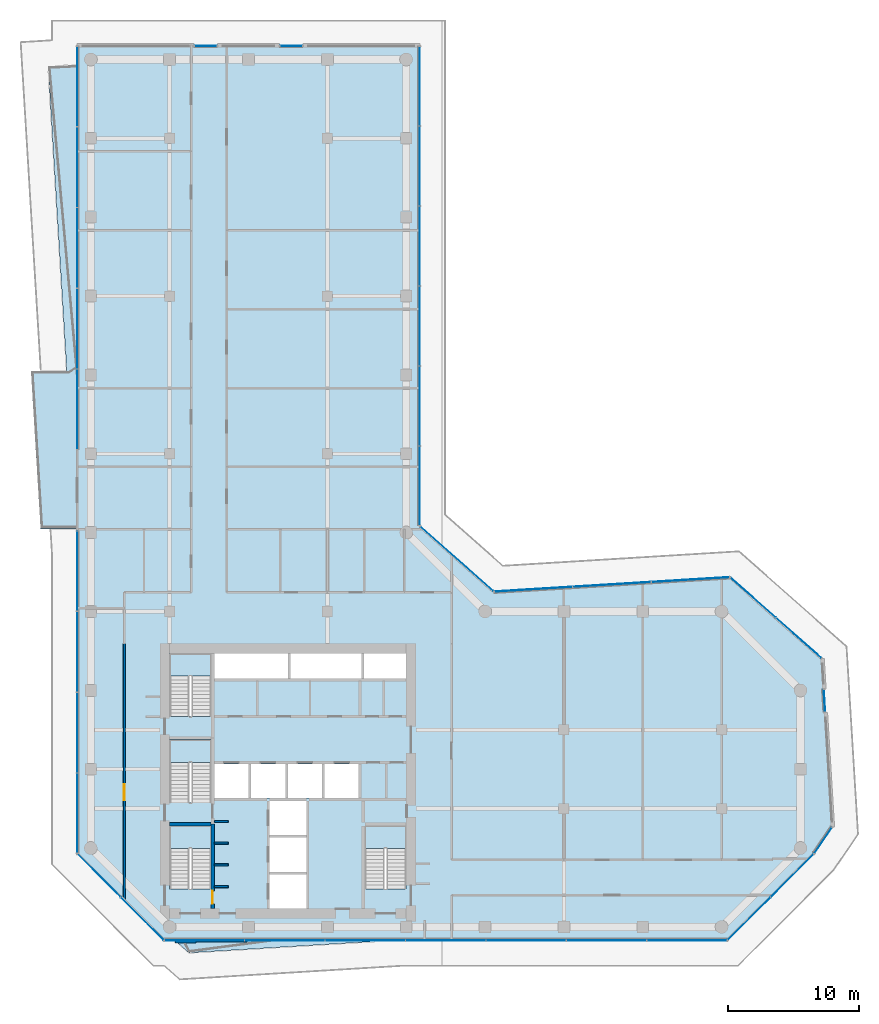
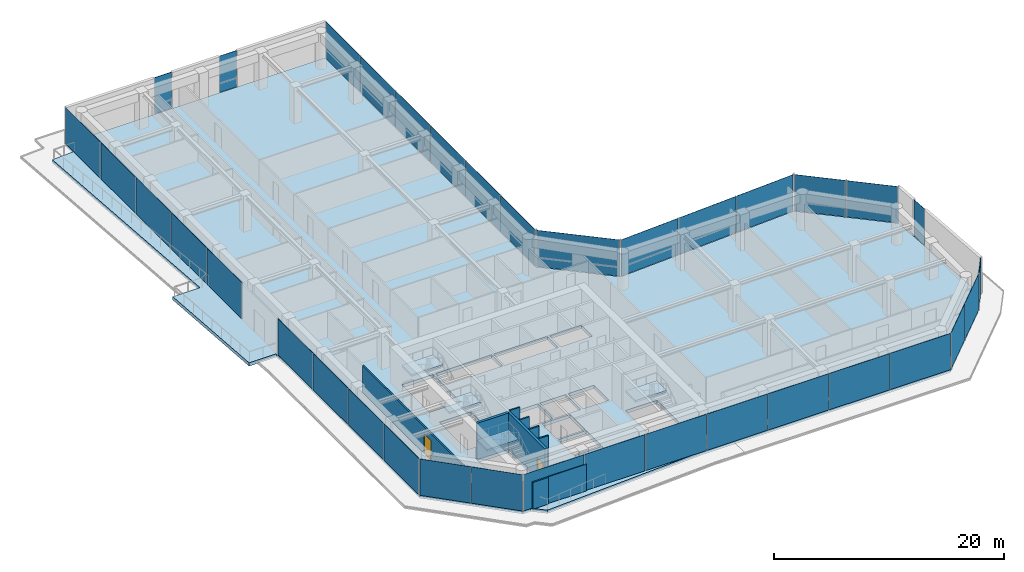
# One storey, part 17 of 23: 36 plates, 9 walls, 5 slabs, 2 doors, 2 openings, 17 elements without a shape of their own.
"""IFC4 building model written with IfcOpenShell, lengths in metres."""

from ifc_helpers import new_model, si_unit, direction, frame, frame_2d, origin, origin_2d, place, context, subcontext, project, spatial, polyline, rectangle, outline, extrude, material, layer, layer_set, type_object, element, fill, aggregate, save


model = new_model("IFC4")

# Units and contexts
model_context = context("Model", 3, precision=1e-05, world=origin(), true_north=direction((0.0, 1.0)))
body_context = subcontext(model_context, "Body", "Model", "MODEL_VIEW")
ifc_project = project(units=[si_unit("LENGTHUNIT", "METRE"), si_unit("AREAUNIT", "SQUARE_METRE"), si_unit("VOLUMEUNIT", "CUBIC_METRE"), si_unit("PLANEANGLEUNIT", "RADIAN"), si_unit("MASSUNIT", "GRAM", prefix="KILO")], contexts=[model_context])

# Site, building, storey
site_placement = place(None, origin())
site = spatial("IfcSite", under=ifc_project, at=site_placement, CompositionType="ELEMENT")
building_placement = place(site_placement, origin())
building = spatial("IfcBuilding", under=site, at=building_placement, Name="Welwitschia Terrace Campus", CompositionType="ELEMENT")
storey_placement = place(building_placement, frame((0.0, 0.0, 96.199951171875)))
storey = spatial("IfcBuildingStorey", under=building, at=storey_placement, Name="L21", CompositionType="ELEMENT", Elevation=96.199951171875)

# Curtain wall, plates
ifc_material_1 = material(Name="Bronze anodised aluminium", Category="aluminium")
ifc_layer_1 = layer(ifc_material_1, 0.1201171875)
ifc_layer_set_1 = layer_set([ifc_layer_1], Name="Bronze anodised aluminium")
curtain_wall_type = type_object("IfcCurtainWallType", Name="Curtain wall CW2 tower 6000", PredefinedType="NOTDEFINED", material=ifc_layer_set_1)
curtain_wall_1_placement = place(storey_placement, origin())
curtain_wall_1 = element("IfcCurtainWall", 1, at=curtain_wall_1_placement, inside=storey, type_object=curtain_wall_type, Name="CW L21.0.0", PredefinedType="NOTDEFINED")
ifc_material_2 = material(Name="Tinted bronze-grey glass", Category="glass")
ifc_layer_2 = layer(ifc_material_2, 0.028076171875)
ifc_layer_set_2 = layer_set([ifc_layer_2], Name="Tinted bronze-grey glass")
plate_type = type_object("IfcPlateType", Name="Glass panel 28 tinted", PredefinedType="CURTAIN_PANEL", material=ifc_layer_set_2)
plate_1_placement = place(storey_placement, frame((0.63134765625, 7.911865234375, 0.0), z_axis=(0.0, 0.0, 1.0), x_axis=(0.707106781187, -0.707106781187, 0.0)))
plate_1 = element("IfcPlate", 2, at=plate_1_placement, type_object=plate_type, Name="Panel L21.0.0.0", PredefinedType="CURTAIN_PANEL", context=body_context, shape_type="SweptSolid", body=[
    extrude(rectangle(XDim=4.579345703125, YDim=0.028076171875, at=origin_2d()), origin(), (0.0, 0.0, 1.0), 3.85009765625),
])
plate_2_placement = place(storey_placement, frame((3.911865234375, 4.63134765625, 0.0), z_axis=(0.0, 0.0, 1.0), x_axis=(0.707106781187, -0.707106781187, 0.0)))
plate_2 = element("IfcPlate", 3, at=plate_2_placement, type_object=plate_type, Name="Panel L21.0.0.1", PredefinedType="CURTAIN_PANEL", context=body_context, shape_type="SweptSolid", body=[
    extrude(rectangle(XDim=4.579345703125, YDim=0.028076171875, at=origin_2d()), origin(), (0.0, 0.0, 1.0), 3.85009765625),
])
aggregate(curtain_wall_1, [plate_1, plate_2])

curtain_wall_2_placement = place(storey_placement, origin())
curtain_wall_2 = element("IfcCurtainWall", 4, at=curtain_wall_2_placement, inside=storey, type_object=curtain_wall_type, Name="CW L21.1.0", PredefinedType="NOTDEFINED")
plate_3_placement = place(storey_placement, frame((8.6494140625, 2.969970703125, 0.0), z_axis=(0.0, 0.0, 1.0), x_axis=(1.0, 0.0, 0.0)))
plate_3 = element("IfcPlate", 5, at=plate_3_placement, type_object=plate_type, Name="Panel L21.1.0.0", PredefinedType="CURTAIN_PANEL", context=body_context, shape_type="SweptSolid", body=[
    extrude(rectangle(XDim=6.031982421875, YDim=0.028076171875, at=origin_2d()), origin(), (0.0, 0.0, 1.0), 3.85009765625),
])
plate_4_placement = place(storey_placement, frame((14.756103515625, 2.969970703125, 0.0), z_axis=(0.0, 0.0, 1.0), x_axis=(1.0, 0.0, 0.0)))
plate_4 = element("IfcPlate", 6, at=plate_4_placement, type_object=plate_type, Name="Panel L21.1.0.1", PredefinedType="CURTAIN_PANEL", context=body_context, shape_type="SweptSolid", body=[
    extrude(rectangle(XDim=6.06201171875, YDim=0.028076171875, at=origin_2d()), origin(), (0.0, 0.0, 1.0), 3.85009765625),
])
plate_5_placement = place(storey_placement, frame((20.878173828125, 2.969970703125, 0.0), z_axis=(0.0, 0.0, 1.0), x_axis=(1.0, 0.0, 0.0)))
plate_5 = element("IfcPlate", 7, at=plate_5_placement, type_object=plate_type, Name="Panel L21.1.0.2", PredefinedType="CURTAIN_PANEL", context=body_context, shape_type="SweptSolid", body=[
    extrude(rectangle(XDim=6.06201171875, YDim=0.028076171875, at=origin_2d()), origin(), (0.0, 0.0, 1.0), 3.85009765625),
])
plate_6_placement = place(storey_placement, frame((27.0, 2.969970703125, 0.0), z_axis=(0.0, 0.0, 1.0), x_axis=(1.0, 0.0, 0.0)))
plate_6 = element("IfcPlate", 8, at=plate_6_placement, type_object=plate_type, Name="Panel L21.1.0.3", PredefinedType="CURTAIN_PANEL", context=body_context, shape_type="SweptSolid", body=[
    extrude(rectangle(XDim=6.06201171875, YDim=0.028076171875, at=origin_2d()), origin(), (0.0, 0.0, 1.0), 3.85009765625),
])
plate_7_placement = place(storey_placement, frame((33.121826171875, 2.969970703125, 0.0), z_axis=(0.0, 0.0, 1.0), x_axis=(1.0, 0.0, 0.0)))
plate_7 = element("IfcPlate", 9, at=plate_7_placement, type_object=plate_type, Name="Panel L21.1.0.4", PredefinedType="CURTAIN_PANEL", context=body_context, shape_type="SweptSolid", body=[
    extrude(rectangle(XDim=6.06201171875, YDim=0.028076171875, at=origin_2d()), origin(), (0.0, 0.0, 1.0), 3.85009765625),
])
plate_8_placement = place(storey_placement, frame((39.243896484375, 2.969970703125, 0.0), z_axis=(0.0, 0.0, 1.0), x_axis=(1.0, 0.0, 0.0)))
plate_8 = element("IfcPlate", 10, at=plate_8_placement, type_object=plate_type, Name="Panel L21.1.0.5", PredefinedType="CURTAIN_PANEL", context=body_context, shape_type="SweptSolid", body=[
    extrude(rectangle(XDim=6.06201171875, YDim=0.028076171875, at=origin_2d()), origin(), (0.0, 0.0, 1.0), 3.85009765625),
])
plate_9_placement = place(storey_placement, frame((45.3505859375, 2.969970703125, 0.0), z_axis=(0.0, 0.0, 1.0), x_axis=(1.0, 0.0, 0.0)))
plate_9 = element("IfcPlate", 11, at=plate_9_placement, type_object=plate_type, Name="Panel L21.1.0.6", PredefinedType="CURTAIN_PANEL", context=body_context, shape_type="SweptSolid", body=[
    extrude(rectangle(XDim=6.031982421875, YDim=0.028076171875, at=origin_2d()), origin(), (0.0, 0.0, 1.0), 3.85009765625),
])
aggregate(curtain_wall_2, [plate_3, plate_4, plate_5, plate_6, plate_7, plate_8, plate_9])

curtain_wall_3_placement = place(storey_placement, origin())
curtain_wall_3 = element("IfcCurtainWall", 12, at=curtain_wall_3_placement, inside=storey, type_object=curtain_wall_type, Name="CW L21.2.0", PredefinedType="NOTDEFINED")
plate_10_placement = place(storey_placement, frame((50.08642578125, 4.629638671875, 0.0), z_axis=(0.0, 0.0, 1.0), x_axis=(0.707106781187, 0.707106781187, 0.0)))
plate_10 = element("IfcPlate", 13, at=plate_10_placement, type_object=plate_type, Name="Panel L21.2.0.0", PredefinedType="CURTAIN_PANEL", context=body_context, shape_type="SweptSolid", body=[
    extrude(rectangle(XDim=4.574462890625, YDim=0.028076171875, at=origin_2d()), origin(), (0.0, 0.0, 1.0), 3.85009765625),
])
plate_11_placement = place(storey_placement, frame((53.363525390625, 7.90673828125, 0.0), z_axis=(0.0, 0.0, 1.0), x_axis=(0.707106781187, 0.707106781187, 0.0)))
plate_11 = element("IfcPlate", 14, at=plate_11_placement, type_object=plate_type, Name="Panel L21.2.0.1", PredefinedType="CURTAIN_PANEL", context=body_context, shape_type="SweptSolid", body=[
    extrude(rectangle(XDim=4.574462890625, YDim=0.028076171875, at=origin_2d()), origin(), (0.0, 0.0, 1.0), 3.85009765625),
])
aggregate(curtain_wall_3, [plate_10, plate_11])

# Curtain wall, plate
curtain_wall_4_placement = place(storey_placement, origin())
curtain_wall_4 = element("IfcCurtainWall", 15, at=curtain_wall_4_placement, inside=storey, type_object=curtain_wall_type, Name="CW L21.3.0", PredefinedType="NOTDEFINED")
plate_12_placement = place(storey_placement, frame((55.717041015625, 10.58056640625, 0.0), z_axis=(0.0, 0.0, 1.0), x_axis=(0.56467111921, 0.825316016523, 0.0)))
plate_12 = element("IfcPlate", 16, at=plate_12_placement, type_object=plate_type, Name="Panel L21.3.0.0", PredefinedType="CURTAIN_PANEL", context=body_context, shape_type="SweptSolid", body=[
    extrude(rectangle(XDim=2.337158203125, YDim=0.028076171875, at=origin_2d()), origin(), (0.0, 0.0, 1.0), 3.85009765625),
])
aggregate(curtain_wall_4, [plate_12])

curtain_wall_5_placement = place(storey_placement, origin())
curtain_wall_5 = element("IfcCurtainWall", 17, at=curtain_wall_5_placement, inside=storey, type_object=curtain_wall_type, Name="CW L21.4.S0", PredefinedType="NOTDEFINED")
plate_13_placement = place(storey_placement, frame((55.822265625, 21.21484375, 0.0), z_axis=(0.0, 0.0, 1.0), x_axis=(-0.061048539535, 0.998134798422, 0.0)))
plate_13 = element("IfcPlate", 18, at=plate_13_placement, type_object=plate_type, Name="Panel L21.4.S0.0", PredefinedType="CURTAIN_PANEL", context=body_context, shape_type="SweptSolid", body=[
    extrude(rectangle(XDim=1.679931640625, YDim=0.028076171875, at=origin_2d()), origin(), (0.0, 0.0, 1.0), 3.85009765625),
])
aggregate(curtain_wall_5, [plate_13])

# Curtain wall, plates
curtain_wall_6_placement = place(storey_placement, origin())
curtain_wall_6 = element("IfcCurtainWall", 19, at=curtain_wall_6_placement, inside=storey, type_object=curtain_wall_type, Name="CW L21.5.0", PredefinedType="NOTDEFINED")
plate_14_placement = place(storey_placement, frame((53.866455078125, 25.978515625, 0.0), z_axis=(0.0, 0.0, 1.0), x_axis=(-0.748955720789, 0.662620048216, 0.0)))
plate_14 = element("IfcPlate", 20, at=plate_14_placement, type_object=plate_type, Name="Panel L21.5.0.0", PredefinedType="CURTAIN_PANEL", context=body_context, shape_type="SweptSolid", body=[
    extrude(rectangle(XDim=4.579345703125, YDim=0.028076171875, at=origin_2d()), origin(), (0.0, 0.0, 1.0), 3.85009765625),
])
plate_15_placement = place(storey_placement, frame((50.391845703125, 29.052734375, 0.0), z_axis=(0.0, 0.0, 1.0), x_axis=(-0.748955720789, 0.662620048216, 0.0)))
plate_15 = element("IfcPlate", 21, at=plate_15_placement, type_object=plate_type, Name="Panel L21.5.0.1", PredefinedType="CURTAIN_PANEL", context=body_context, shape_type="SweptSolid", body=[
    extrude(rectangle(XDim=4.579345703125, YDim=0.028076171875, at=origin_2d()), origin(), (0.0, 0.0, 1.0), 3.85009765625),
])
aggregate(curtain_wall_6, [plate_14, plate_15])

curtain_wall_7_placement = place(storey_placement, origin())
curtain_wall_7 = element("IfcCurtainWall", 22, at=curtain_wall_7_placement, inside=storey, type_object=curtain_wall_type, Name="CW L21.6.0", PredefinedType="NOTDEFINED")
plate_16_placement = place(storey_placement, frame((45.62255859375, 30.425537109375, 0.0), z_axis=(0.0, 0.0, 1.0), x_axis=(-0.998134798422, -0.061048539535, 0.0)))
plate_16 = element("IfcPlate", 23, at=plate_16_placement, type_object=plate_type, Name="Panel L21.6.0.0", PredefinedType="CURTAIN_PANEL", context=body_context, shape_type="SweptSolid", body=[
    extrude(rectangle(XDim=5.909912109375, YDim=0.028076171875, at=origin_2d()), origin(), (0.0, 0.0, 1.0), 3.85009765625),
])
plate_17_placement = place(storey_placement, frame((39.648681640625, 30.06005859375, 0.0), z_axis=(0.0, 0.0, 1.0), x_axis=(-0.998134798422, -0.061048539535, 0.0)))
plate_17 = element("IfcPlate", 24, at=plate_17_placement, type_object=plate_type, Name="Panel L21.6.0.1", PredefinedType="CURTAIN_PANEL", context=body_context, shape_type="SweptSolid", body=[
    extrude(rectangle(XDim=5.93994140625, YDim=0.028076171875, at=origin_2d()), origin(), (0.0, 0.0, 1.0), 3.85009765625),
])
plate_18_placement = place(storey_placement, frame((33.675048828125, 29.69482421875, 0.0), z_axis=(0.0, 0.0, 1.0), x_axis=(-0.998134798422, -0.061048539535, 0.0)))
plate_18 = element("IfcPlate", 25, at=plate_18_placement, type_object=plate_type, Name="Panel L21.6.0.2", PredefinedType="CURTAIN_PANEL", context=body_context, shape_type="SweptSolid", body=[
    extrude(rectangle(XDim=5.909912109375, YDim=0.028076171875, at=origin_2d()), origin(), (0.0, 0.0, 1.0), 3.85009765625),
])
aggregate(curtain_wall_7, [plate_16, plate_17, plate_18])

# Curtain wall, plate
curtain_wall_8_placement = place(storey_placement, origin())
curtain_wall_8 = element("IfcCurtainWall", 26, at=curtain_wall_8_placement, inside=storey, type_object=curtain_wall_type, Name="CW L21.7.0", PredefinedType="NOTDEFINED")
plate_19_placement = place(storey_placement, frame((27.84765625, 32.003662109375, 0.0), z_axis=(0.0, 0.0, 1.0), x_axis=(-0.748955720789, 0.662620048216, 0.0)))
plate_19 = element("IfcPlate", 27, at=plate_19_placement, type_object=plate_type, Name="Panel L21.7.0.0", PredefinedType="CURTAIN_PANEL", context=body_context, shape_type="SweptSolid", body=[
    extrude(rectangle(XDim=7.404541015625, YDim=0.028076171875, at=origin_2d()), origin(), (0.0, 0.0, 1.0), 3.85009765625),
])
aggregate(curtain_wall_8, [plate_19])

# Curtain wall, plates
curtain_wall_9_placement = place(storey_placement, origin())
curtain_wall_9 = element("IfcCurtainWall", 28, at=curtain_wall_9_placement, inside=storey, type_object=curtain_wall_type, Name="CW L21.8.0", PredefinedType="NOTDEFINED")
plate_20_placement = place(storey_placement, frame((25.030029296875, 37.55615234375, 0.0), z_axis=(0.0, 0.0, 1.0), x_axis=(0.0, 1.0, 0.0)))
plate_20 = element("IfcPlate", 29, at=plate_20_placement, type_object=plate_type, Name="Panel L21.8.0.0", PredefinedType="CURTAIN_PANEL", context=body_context, shape_type="SweptSolid", body=[
    extrude(rectangle(XDim=5.998779296875, YDim=0.028076171875, at=origin_2d()), origin(), (0.0, 0.0, 1.0), 3.85009765625),
])
plate_21_placement = place(storey_placement, frame((25.030029296875, 43.6298828125, 0.0), z_axis=(0.0, 0.0, 1.0), x_axis=(0.0, 1.0, 0.0)))
plate_21 = element("IfcPlate", 30, at=plate_21_placement, type_object=plate_type, Name="Panel L21.8.0.1", PredefinedType="CURTAIN_PANEL", context=body_context, shape_type="SweptSolid", body=[
    extrude(rectangle(XDim=6.02880859375, YDim=0.028076171875, at=origin_2d()), origin(), (0.0, 0.0, 1.0), 3.85009765625),
])
plate_22_placement = place(storey_placement, frame((25.030029296875, 49.718994140625, 0.0), z_axis=(0.0, 0.0, 1.0), x_axis=(0.0, 1.0, 0.0)))
plate_22 = element("IfcPlate", 31, at=plate_22_placement, type_object=plate_type, Name="Panel L21.8.0.2", PredefinedType="CURTAIN_PANEL", context=body_context, shape_type="SweptSolid", body=[
    extrude(rectangle(XDim=6.02880859375, YDim=0.028076171875, at=origin_2d()), origin(), (0.0, 0.0, 1.0), 3.85009765625),
])
plate_23_placement = place(storey_placement, frame((25.030029296875, 55.807861328125, 0.0), z_axis=(0.0, 0.0, 1.0), x_axis=(0.0, 1.0, 0.0)))
plate_23 = element("IfcPlate", 32, at=plate_23_placement, type_object=plate_type, Name="Panel L21.8.0.3", PredefinedType="CURTAIN_PANEL", context=body_context, shape_type="SweptSolid", body=[
    extrude(rectangle(XDim=6.02880859375, YDim=0.028076171875, at=origin_2d()), origin(), (0.0, 0.0, 1.0), 3.85009765625),
])
plate_24_placement = place(storey_placement, frame((25.030029296875, 61.896728515625, 0.0), z_axis=(0.0, 0.0, 1.0), x_axis=(0.0, 1.0, 0.0)))
plate_24 = element("IfcPlate", 33, at=plate_24_placement, type_object=plate_type, Name="Panel L21.8.0.4", PredefinedType="CURTAIN_PANEL", context=body_context, shape_type="SweptSolid", body=[
    extrude(rectangle(XDim=6.02880859375, YDim=0.028076171875, at=origin_2d()), origin(), (0.0, 0.0, 1.0), 3.85009765625),
])
plate_25_placement = place(storey_placement, frame((25.030029296875, 67.970458984375, 0.0), z_axis=(0.0, 0.0, 1.0), x_axis=(0.0, 1.0, 0.0)))
plate_25 = element("IfcPlate", 34, at=plate_25_placement, type_object=plate_type, Name="Panel L21.8.0.5", PredefinedType="CURTAIN_PANEL", context=body_context, shape_type="SweptSolid", body=[
    extrude(rectangle(XDim=5.998779296875, YDim=0.028076171875, at=origin_2d()), origin(), (0.0, 0.0, 1.0), 3.85009765625),
])
aggregate(curtain_wall_9, [plate_20, plate_21, plate_22, plate_23, plate_24, plate_25])

# Curtain wall, plate
curtain_wall_10_placement = place(storey_placement, origin())
curtain_wall_10 = element("IfcCurtainWall", 35, at=curtain_wall_10_placement, inside=storey, type_object=curtain_wall_type, Name="CW L21.9.S0", PredefinedType="NOTDEFINED")
plate_26_placement = place(storey_placement, frame((15.257568359375, 71.030029296875, 0.0), z_axis=(0.0, 0.0, 1.0), x_axis=(-1.0, 0.0, 0.0)))
plate_26 = element("IfcPlate", 36, at=plate_26_placement, type_object=plate_type, Name="Panel L21.9.S0.0", PredefinedType="CURTAIN_PANEL", context=body_context, shape_type="SweptSolid", body=[
    extrude(rectangle(XDim=1.679931640625, YDim=0.028076171875, at=origin_2d()), origin(), (0.0, 0.0, 1.0), 3.85009765625),
])
aggregate(curtain_wall_10, [plate_26])

curtain_wall_11_placement = place(storey_placement, origin())
curtain_wall_11 = element("IfcCurtainWall", 37, at=curtain_wall_11_placement, inside=storey, type_object=curtain_wall_type, Name="CW L21.9.S1", PredefinedType="NOTDEFINED")
plate_27_placement = place(storey_placement, frame((8.742431640625, 71.030029296875, 0.0), z_axis=(0.0, 0.0, 1.0), x_axis=(-1.0, 0.0, 0.0)))
plate_27 = element("IfcPlate", 38, at=plate_27_placement, type_object=plate_type, Name="Panel L21.9.S1.0", PredefinedType="CURTAIN_PANEL", context=body_context, shape_type="SweptSolid", body=[
    extrude(rectangle(XDim=1.679931640625, YDim=0.028076171875, at=origin_2d()), origin(), (0.0, 0.0, 1.0), 3.85009765625),
])
aggregate(curtain_wall_11, [plate_27])

# Curtain wall, plates
curtain_wall_12_placement = place(storey_placement, origin())
curtain_wall_12 = element("IfcCurtainWall", 39, at=curtain_wall_12_placement, inside=storey, type_object=curtain_wall_type, Name="CW L21.10.0", PredefinedType="NOTDEFINED")
plate_28_placement = place(storey_placement, frame((-1.030029296875, 67.942138671875, 0.0), z_axis=(0.0, 0.0, 1.0), x_axis=(0.0, -1.0, 0.0)))
plate_28 = element("IfcPlate", 40, at=plate_28_placement, type_object=plate_type, Name="Panel L21.10.0.0", PredefinedType="CURTAIN_PANEL", context=body_context, shape_type="SweptSolid", body=[
    extrude(rectangle(XDim=6.0556640625, YDim=0.028076171875, at=origin_2d()), origin(), (0.0, 0.0, 1.0), 3.85009765625),
])
plate_29_placement = place(storey_placement, frame((-1.030029296875, 61.8115234375, 0.0), z_axis=(0.0, 0.0, 1.0), x_axis=(0.0, -1.0, 0.0)))
plate_29 = element("IfcPlate", 41, at=plate_29_placement, type_object=plate_type, Name="Panel L21.10.0.1", PredefinedType="CURTAIN_PANEL", context=body_context, shape_type="SweptSolid", body=[
    extrude(rectangle(XDim=6.085693359375, YDim=0.028076171875, at=origin_2d()), origin(), (0.0, 0.0, 1.0), 3.85009765625),
])
plate_30_placement = place(storey_placement, frame((-1.030029296875, 55.665771484375, 0.0), z_axis=(0.0, 0.0, 1.0), x_axis=(0.0, -1.0, 0.0)))
plate_30 = element("IfcPlate", 42, at=plate_30_placement, type_object=plate_type, Name="Panel L21.10.0.2", PredefinedType="CURTAIN_PANEL", context=body_context, shape_type="SweptSolid", body=[
    extrude(rectangle(XDim=6.085693359375, YDim=0.028076171875, at=origin_2d()), origin(), (0.0, 0.0, 1.0), 3.85009765625),
])
plate_31_placement = place(storey_placement, frame((-1.030029296875, 49.520263671875, 0.0), z_axis=(0.0, 0.0, 1.0), x_axis=(0.0, -1.0, 0.0)))
plate_31 = element("IfcPlate", 43, at=plate_31_placement, type_object=plate_type, Name="Panel L21.10.0.3", PredefinedType="CURTAIN_PANEL", context=body_context, shape_type="SweptSolid", body=[
    extrude(rectangle(XDim=6.085693359375, YDim=0.028076171875, at=origin_2d()), origin(), (0.0, 0.0, 1.0), 3.85009765625),
])
plate_32_placement = place(storey_placement, frame((-1.030029296875, 43.389404296875, 0.0), z_axis=(0.0, 0.0, 1.0), x_axis=(0.0, -1.0, 0.0)))
plate_32 = element("IfcPlate", 44, at=plate_32_placement, type_object=plate_type, Name="Panel L21.10.0.4", PredefinedType="CURTAIN_PANEL", context=body_context, shape_type="SweptSolid", body=[
    extrude(rectangle(XDim=6.0556640625, YDim=0.028076171875, at=origin_2d()), origin(), (0.0, 0.0, 1.0), 3.85009765625),
])
aggregate(curtain_wall_12, [plate_28, plate_29, plate_30, plate_31, plate_32])

curtain_wall_13_placement = place(storey_placement, origin())
curtain_wall_13 = element("IfcCurtainWall", 45, at=curtain_wall_13_placement, inside=storey, type_object=curtain_wall_type, Name="CW L21.10.6", PredefinedType="NOTDEFINED")
plate_33_placement = place(storey_placement, frame((-1.030029296875, 31.068115234375, 0.0), z_axis=(0.0, 0.0, 1.0), x_axis=(0.0, -1.0, 0.0)))
plate_33 = element("IfcPlate", 46, at=plate_33_placement, type_object=plate_type, Name="Panel L21.10.6.0", PredefinedType="CURTAIN_PANEL", context=body_context, shape_type="SweptSolid", body=[
    extrude(rectangle(XDim=6.0556640625, YDim=0.028076171875, at=origin_2d()), origin(), (0.0, 0.0, 1.0), 3.85009765625),
])
plate_34_placement = place(storey_placement, frame((-1.030029296875, 24.9375, 0.0), z_axis=(0.0, 0.0, 1.0), x_axis=(0.0, -1.0, 0.0)))
plate_34 = element("IfcPlate", 47, at=plate_34_placement, type_object=plate_type, Name="Panel L21.10.6.1", PredefinedType="CURTAIN_PANEL", context=body_context, shape_type="SweptSolid", body=[
    extrude(rectangle(XDim=6.085693359375, YDim=0.028076171875, at=origin_2d()), origin(), (0.0, 0.0, 1.0), 3.85009765625),
])
plate_35_placement = place(storey_placement, frame((-1.030029296875, 18.791748046875, 0.0), z_axis=(0.0, 0.0, 1.0), x_axis=(0.0, -1.0, 0.0)))
plate_35 = element("IfcPlate", 48, at=plate_35_placement, type_object=plate_type, Name="Panel L21.10.6.2", PredefinedType="CURTAIN_PANEL", context=body_context, shape_type="SweptSolid", body=[
    extrude(rectangle(XDim=6.085693359375, YDim=0.028076171875, at=origin_2d()), origin(), (0.0, 0.0, 1.0), 3.85009765625),
])
plate_36_placement = place(storey_placement, frame((-1.030029296875, 12.6611328125, 0.0), z_axis=(0.0, 0.0, 1.0), x_axis=(0.0, -1.0, 0.0)))
plate_36 = element("IfcPlate", 49, at=plate_36_placement, type_object=plate_type, Name="Panel L21.10.6.3", PredefinedType="CURTAIN_PANEL", context=body_context, shape_type="SweptSolid", body=[
    extrude(rectangle(XDim=6.0556640625, YDim=0.028076171875, at=origin_2d()), origin(), (0.0, 0.0, 1.0), 3.85009765625),
])
aggregate(curtain_wall_13, [plate_33, plate_34, plate_35, plate_36])

# Stair, slab
ifc_material_3 = material(Name="Concrete C40/50", Category="concrete")
stair_type = type_object("IfcStairType", Name="Stair 24R 175 W1500", PredefinedType="HALF_TURN_STAIR", material=ifc_material_3)
stair_1_placement = place(storey_placement, origin())
stair_1 = element("IfcStair", 50, at=stair_1_placement, inside=storey, type_object=stair_type, Name="L21 Exit stair S1", PredefinedType="HALF_TURN_STAIR")
ifc_material_4 = material(Name="Concrete C40/50", Category="concrete")
ifc_layer_3 = layer(ifc_material_4, 0.199951171875)
ifc_layer_set_3 = layer_set([ifc_layer_3], Name="Concrete C40/50")
slab_type_1 = type_object("IfcSlabType", Name="Stair landing RC", PredefinedType="LANDING", material=ifc_layer_set_3)
slab_1_placement = place(storey_placement, frame((0.0, 0.0, 1.900146484375)))
slab_1 = element("IfcSlab", 51, at=slab_1_placement, type_object=slab_type_1, Name="S1 landing 1", PredefinedType="LANDING", context=body_context, shape_type="SweptSolid", body=[
    extrude(outline(polyline([(9.14990234375, 9.97998046875), (9.14990234375, 11.699951171875), (6.0, 11.699951171875), (6.0, 9.97998046875), (9.14990234375, 9.97998046875)])), origin(), (0.0, 0.0, 1.0), 0.199951171875),
])
aggregate(stair_1, [slab_1])

stair_2_placement = place(storey_placement, origin())
stair_2 = element("IfcStair", 52, at=stair_2_placement, inside=storey, type_object=stair_type, Name="L21 Exit stair S3", PredefinedType="HALF_TURN_STAIR")
slab_2_placement = place(storey_placement, frame((0.0, 0.0, 1.900146484375)))
slab_2 = element("IfcSlab", 53, at=slab_2_placement, type_object=slab_type_1, Name="S3 landing 1", PredefinedType="LANDING", context=body_context, shape_type="SweptSolid", body=[
    extrude(outline(polyline([(9.14990234375, 16.530029296875), (9.14990234375, 18.25), (6.0, 18.25), (6.0, 16.530029296875), (9.14990234375, 16.530029296875)])), origin(), (0.0, 0.0, 1.0), 0.199951171875),
])
aggregate(stair_2, [slab_2])

stair_3_placement = place(storey_placement, origin())
stair_3 = element("IfcStair", 54, at=stair_3_placement, inside=storey, type_object=stair_type, Name="L21 Exit stair S4", PredefinedType="HALF_TURN_STAIR")
slab_3_placement = place(storey_placement, frame((0.0, 0.0, 1.900146484375)))
slab_3 = element("IfcSlab", 55, at=slab_3_placement, type_object=slab_type_1, Name="S4 landing 1", PredefinedType="LANDING", context=body_context, shape_type="SweptSolid", body=[
    extrude(outline(polyline([(9.14990234375, 23.080078125), (9.14990234375, 24.800048828125), (6.0, 24.800048828125), (6.0, 23.080078125), (9.14990234375, 23.080078125)])), origin(), (0.0, 0.0, 1.0), 0.199951171875),
])
aggregate(stair_3, [slab_3])

stair_4_placement = place(storey_placement, origin())
stair_4 = element("IfcStair", 56, at=stair_4_placement, inside=storey, type_object=stair_type, Name="L21 Exit stair S2", PredefinedType="HALF_TURN_STAIR")
slab_4_placement = place(storey_placement, frame((0.0, 0.0, 1.900146484375)))
slab_4 = element("IfcSlab", 57, at=slab_4_placement, type_object=slab_type_1, Name="S2 landing 1", PredefinedType="LANDING", context=body_context, shape_type="SweptSolid", body=[
    extrude(outline(polyline([(24.0, 9.97998046875), (24.0, 11.699951171875), (20.85009765625, 11.699951171875), (20.85009765625, 9.97998046875), (24.0, 9.97998046875)])), origin(), (0.0, 0.0, 1.0), 0.199951171875),
])
aggregate(stair_4, [slab_4])

# Slab
ifc_material_5 = material(Name="Concrete C40/50", Category="concrete")
ifc_layer_4 = layer(ifc_material_5, 0.35009765625)
ifc_layer_set_4 = layer_set([ifc_layer_4], Name="Concrete C40/50")
slab_type_2 = type_object("IfcSlabType", Name="Suspended floor slab 350", PredefinedType="FLOOR", material=ifc_layer_set_4)
slab_5_placement = place(storey_placement, frame((0.0, 0.0, -0.349853515625)))
element("IfcSlab", 58, at=slab_5_placement, inside=storey, type_object=slab_type_2, Name="Floor slab L21", PredefinedType="FLOOR", context=body_context, shape_type="SweptSolid", body=[
    extrude(outline(polyline([(-0.97998046875, 69.603515625), (-0.97998046875, 70.97998046875), (24.97998046875, 70.97998046875), (24.97998046875, 34.47412109375), (30.64794921875, 29.45947265625), (48.6142578125, 30.558349609375), (55.577392578125, 24.39794921875), (56.359619140625, 11.608642578125), (54.984619140625, 9.5986328125), (48.406005859375, 3.02001953125), (23.600341796875, 3.02001953125), (7.46728515625, 2.033203125), (6.351806640625, 3.02001953125), (5.593994140625, 3.02001953125), (-0.97998046875, 9.593994140625), (-0.97998046875, 32.457275390625), (-1.09228515625, 34.29296875), (-3.8173828125, 34.29296875), (-4.55126953125, 46.29296875), (-1.826171875, 46.29296875), (-3.243408203125, 69.465087890625), (-0.97998046875, 69.603515625)]), holes=[polyline([(13.60009765625, 8.0), (13.60009765625, 5.39990234375), (16.39990234375, 5.39990234375), (16.39990234375, 8.0), (13.60009765625, 8.0)]), polyline([(9.14990234375, 11.699951171875), (6.0, 11.699951171875), (6.0, 6.902099609375), (9.14990234375, 6.902099609375), (9.14990234375, 11.699951171875)]), polyline([(12.0, 16.39990234375), (9.39990234375, 16.39990234375), (9.39990234375, 13.800048828125), (12.0, 13.800048828125), (12.0, 16.39990234375)]), polyline([(14.800048828125, 16.39990234375), (12.199951171875, 16.39990234375), (12.199951171875, 13.800048828125), (14.800048828125, 13.800048828125), (14.800048828125, 16.39990234375)]), polyline([(9.14990234375, 18.25), (6.0, 18.25), (6.0, 13.451904296875), (9.14990234375, 13.451904296875), (9.14990234375, 18.25)]), polyline([(9.14990234375, 24.800048828125), (6.0, 24.800048828125), (6.0, 20.001953125), (9.14990234375, 20.001953125), (9.14990234375, 24.800048828125)]), polyline([(15.0, 24.800048828125), (9.39990234375, 24.800048828125), (9.39990234375, 22.89990234375), (15.0, 22.89990234375), (15.0, 24.800048828125)]), polyline([(20.85009765625, 11.699951171875), (20.85009765625, 6.902099609375), (24.0, 6.902099609375), (24.0, 11.699951171875), (20.85009765625, 11.699951171875)]), polyline([(16.39990234375, 10.800048828125), (13.60009765625, 10.800048828125), (13.60009765625, 8.199951171875), (16.39990234375, 8.199951171875), (16.39990234375, 10.800048828125)]), polyline([(16.39990234375, 13.60009765625), (13.60009765625, 13.60009765625), (13.60009765625, 11.0), (16.39990234375, 11.0), (16.39990234375, 13.60009765625)]), polyline([(17.60009765625, 16.39990234375), (15.0, 16.39990234375), (15.0, 13.800048828125), (17.60009765625, 13.800048828125), (17.60009765625, 16.39990234375)]), polyline([(20.39990234375, 16.39990234375), (17.800048828125, 16.39990234375), (17.800048828125, 13.800048828125), (20.39990234375, 13.800048828125), (20.39990234375, 16.39990234375)]), polyline([(20.60009765625, 24.800048828125), (15.199951171875, 24.800048828125), (15.199951171875, 22.89990234375), (20.60009765625, 22.89990234375), (20.60009765625, 24.800048828125)]), polyline([(24.0, 24.800048828125), (20.800048828125, 24.800048828125), (20.800048828125, 22.89990234375), (24.0, 22.89990234375), (24.0, 24.800048828125)])]), origin(), (0.0, 0.0, 1.0), 0.349853515625),
])

# Walls
ifc_material_6 = material(Name="Concrete C50/60", Category="concrete")
ifc_layer_5 = layer(ifc_material_6, 0.14990234375)
ifc_layer_set_5 = layer_set([ifc_layer_5], Name="Concrete C50/60")
wall_type_1 = type_object("IfcWallType", Name="Core wall 150 Concrete C50/60", PredefinedType="SHEAR", material=ifc_layer_set_5)
for number, where, z_axis, x_axis, name in (
    (59, (9.39990234375, 7.074951171875, 0.0), (0.0, 0.0, 1.0), (1.0, 0.0, 0.0), "Core wall"),
    (60, (9.39990234375, 8.72509765625, 0.0), (0.0, 0.0, 1.0), (1.0, 0.0, 0.0), "Core wall"),
    (61, (9.39990234375, 10.375, 0.0), (0.0, 0.0, 1.0), (1.0, 0.0, 0.0), "Core wall"),
    (62, (9.39990234375, 12.02490234375, 0.0), (0.0, 0.0, 1.0), (1.0, 0.0, 0.0), "Core wall"),
):
    element("IfcWall", number, at=place(storey_placement, frame(where, z_axis=z_axis, x_axis=x_axis)), inside=storey, type_object=wall_type_1, Name=name, PredefinedType="SHEAR", context=body_context, shape_type="SweptSolid", body=[
        extrude(rectangle(XDim=1.050048828125, YDim=0.14990234375, at=frame_2d((0.52490234375, 0.0))), origin(), (0.0, 0.0, 1.0), 3.85009765625),
    ])
ifc_material_7 = material(Name="Concrete C50/60", Category="concrete")
ifc_layer_6 = layer(ifc_material_7, 0.25)
ifc_layer_set_6 = layer_set([ifc_layer_6], Name="Concrete C50/60")
wall_type_2 = type_object("IfcWallType", Name="Core wall 250 Concrete C50/60", PredefinedType="SHEAR", material=ifc_layer_set_6)
wall_1_placement = place(storey_placement, frame((6.0, 11.824951171875, 0.0), z_axis=(0.0, 0.0, 1.0), x_axis=(1.0, 0.0, 0.0)))
element("IfcWall", 63, at=wall_1_placement, inside=storey, type_object=wall_type_2, Name="Core wall", PredefinedType="SHEAR", context=body_context, shape_type="SweptSolid", body=[
    extrude(rectangle(XDim=3.14990234375, YDim=0.25, at=frame_2d((1.574951171875, 0.0))), origin(), (0.0, 0.0, 1.0), 3.85009765625),
])

# Wall, opening, door
wall_2_placement = place(storey_placement, frame((9.27490234375, 11.824951171875, 0.0), z_axis=(0.0, 0.0, 1.0), x_axis=(0.0, -1.0, 0.0)))
wall_2 = element("IfcWall", 64, at=wall_2_placement, inside=storey, type_object=wall_type_2, Name="Core wall", PredefinedType="SHEAR", context=body_context, shape_type="SweptSolid", body=[
    extrude(rectangle(XDim=6.425048828125, YDim=0.25, at=frame_2d((3.21240234375, 0.0))), origin(), (0.0, 0.0, 1.0), 3.85009765625),
])
opening_1_placement = place(wall_2_placement, frame((5.074951171875, 0.0, 0.0)))
opening_1 = element("IfcOpeningElement", 65, at=opening_1_placement, cuts=wall_2, Name="Opening DS10", PredefinedType="OPENING", context=body_context, shape_type="SweptSolid", body=[
    extrude(rectangle(XDim=1.0, YDim=2.10009765625, at=frame_2d((0.5, 1.050048828125))), frame((0.0, 0.135009765625, 0.0), z_axis=(0.0, -1.0, 0.0), x_axis=(1.0, 0.0, 0.0)), (0.0, 0.0, 1.0), 0.27001953125),
])
ifc_material_8 = material(Name="Steel S275", Category="steel")
door_type_1 = type_object("IfcDoorType", Name="Core door DS10", OperationType="SINGLE_SWING_LEFT", PredefinedType="DOOR", material=ifc_material_8)
door_1_placement = place(opening_1_placement, origin())
door_1 = element("IfcDoor", 66, at=door_1_placement, inside=storey, type_object=door_type_1, Name="Door S1-FL", OperationType="SINGLE_SWING_RIGHT", OverallHeight=2.10009765625, OverallWidth=1.0, PredefinedType="DOOR", context=body_context, shape_type="SweptSolid", body=[
    extrude(rectangle(XDim=1.0, YDim=2.10009765625, at=frame_2d((0.5, 1.050048828125))), frame((0.0, 0.02490234375, 0.0), z_axis=(0.0, -1.0, 0.0), x_axis=(1.0, 0.0, 0.0)), (0.0, 0.0, 1.0), 0.050048828125),
])
fill(opening_1, door_1)

ifc_material_9 = material(Name="Gypsum board on steel studs", Category="steel")
ifc_layer_7 = layer(ifc_material_9, 0.14990234375)
ifc_layer_set_7 = layer_set([ifc_layer_7], Name="Gypsum board on steel studs")
wall_type_3 = type_object("IfcWallType", Name="Corridor partition 150 EI 30", PredefinedType="PARTITIONING", material=ifc_layer_set_7)
wall_3_placement = place(storey_placement, frame((2.550048828125, 6.078125, 0.0), z_axis=(0.0, 0.0, 1.0), x_axis=(0.0, 1.0, 0.0)))
wall_3 = element("IfcWall", 67, at=wall_3_placement, inside=storey, type_object=wall_type_3, Name="Partition", PredefinedType="PARTITIONING", context=body_context, shape_type="SweptSolid", body=[
    extrude(rectangle(XDim=19.471923828125, YDim=0.14990234375, at=frame_2d((9.73583984375, 0.0))), origin(), (0.0, 0.0, 1.0), 2.830078125),
])
opening_2_placement = place(wall_3_placement, frame((7.57177734375, 0.0, 0.0)))
opening_2 = element("IfcOpeningElement", 68, at=opening_2_placement, cuts=wall_3, Name="Opening DI12", PredefinedType="OPENING", context=body_context, shape_type="SweptSolid", body=[
    extrude(rectangle(XDim=1.199951171875, YDim=2.10009765625, at=frame_2d((0.60009765625, 1.050048828125))), frame((0.0, 0.0849609375, 0.0), z_axis=(0.0, -1.0, 0.0), x_axis=(1.0, 0.0, 0.0)), (0.0, 0.0, 1.0), 0.169921875),
])
ifc_material_10 = material(Name="Timber veneered door", Category="wood")
door_type_2 = type_object("IfcDoorType", Name="Interior door DI12", OperationType="NOTDEFINED", PredefinedType="DOOR", material=ifc_material_10)
door_2_placement = place(opening_2_placement, origin())
door_2 = element("IfcDoor", 69, at=door_2_placement, inside=storey, type_object=door_type_2, Name="Door L21 459", OperationType="SINGLE_SWING_RIGHT", OverallHeight=2.10009765625, OverallWidth=1.199951171875, PredefinedType="DOOR", context=body_context, shape_type="SweptSolid", body=[
    extrude(rectangle(XDim=1.199951171875, YDim=2.10009765625, at=frame_2d((0.60009765625, 1.050048828125))), frame((0.0, 0.02490234375, 0.0), z_axis=(0.0, -1.0, 0.0), x_axis=(1.0, 0.0, 0.0)), (0.0, 0.0, 1.0), 0.050048828125),
])
fill(opening_2, door_2)

# Walls
wall_4_placement = place(storey_placement, frame((6.43994140625, 2.8701171875, 0.0), z_axis=(0.0, 0.0, 1.0), x_axis=(1.0, 0.0, 0.0)))
element("IfcWall", 70, at=wall_4_placement, inside=storey, type_object=wall_type_3, Name="Partition", PredefinedType="PARTITIONING", context=body_context, shape_type="SweptSolid", body=[
    extrude(rectangle(XDim=1.56005859375, YDim=0.14990234375, at=frame_2d((0.780029296875, 0.0))), origin(), (0.0, 0.0, 1.0), 2.830078125),
])
wall_5_placement = place(storey_placement, frame((8.0400390625, 2.949951171875, 0.0), z_axis=(0.0, 0.0, 1.0), x_axis=(1.0, 0.0, 0.0)))
element("IfcWall", 71, at=wall_5_placement, inside=storey, type_object=wall_type_3, Name="Partition", PredefinedType="PARTITIONING", context=body_context, shape_type="SweptSolid", body=[
    extrude(rectangle(XDim=3.81005859375, YDim=0.14990234375, at=frame_2d((1.905029296875, 0.0))), origin(), (0.0, 0.0, 1.0), 2.830078125),
])

save(model, "model.ifc")
